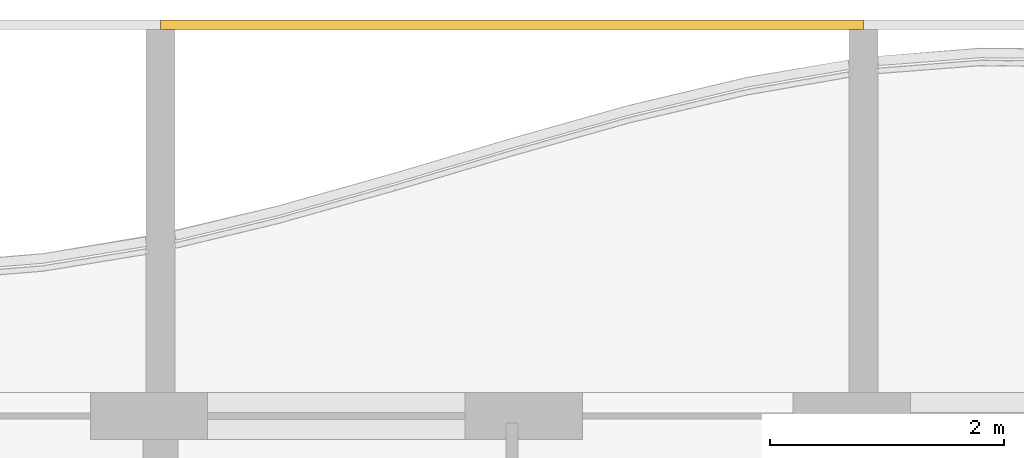
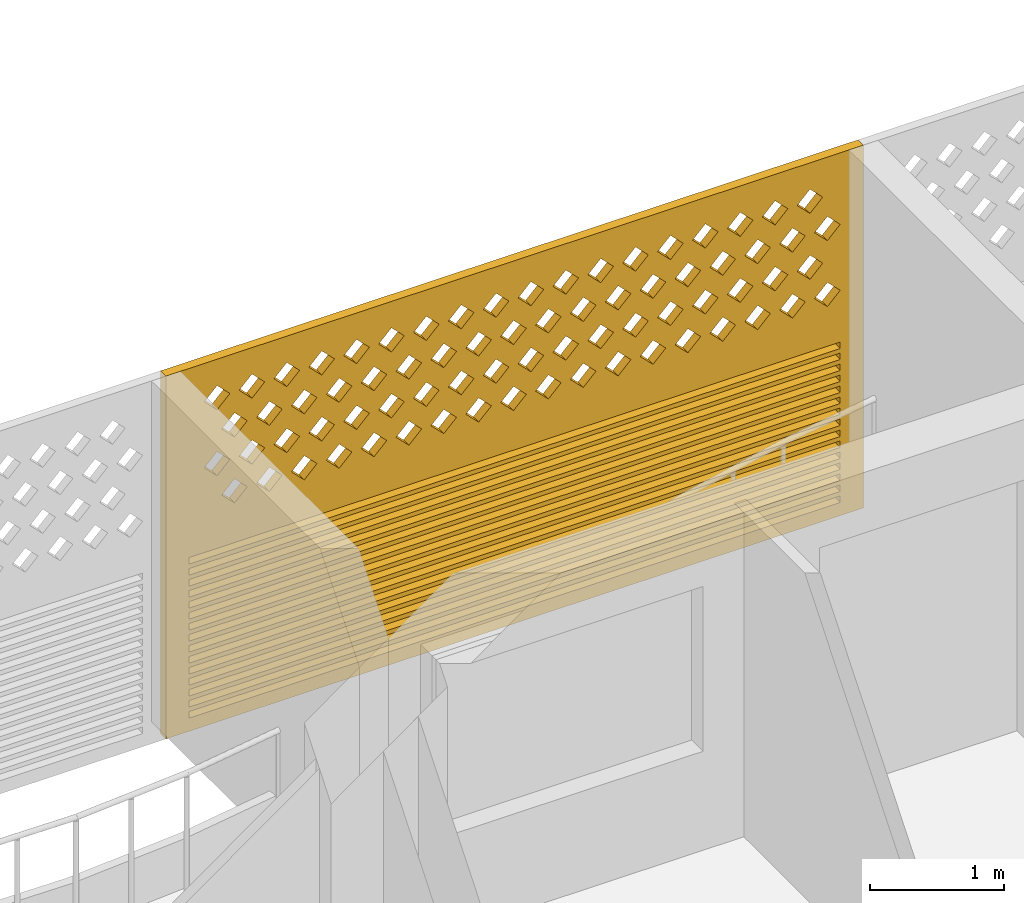
# One storey, part 18 of 26: 1 covering.
"""IFC4 building model written with IfcOpenShell, lengths in metres."""

from ifc_helpers import new_model, si_unit, direction, frame, origin, place, context, subcontext, project, spatial, polyline, outline, extrude, source, transform, mapped, material, material_profile, profile_set, type_object, element, save


model = new_model("IFC4")

# Units and contexts
model_context = context("Model", 3, precision=1e-05, world=origin(), true_north=direction((0.0, 1.0)))
body_context = subcontext(model_context, "Body", "Model", "MODEL_VIEW")
ifc_project = project(units=[si_unit("LENGTHUNIT", "METRE"), si_unit("AREAUNIT", "SQUARE_METRE"), si_unit("VOLUMEUNIT", "CUBIC_METRE"), si_unit("PLANEANGLEUNIT", "RADIAN"), si_unit("MASSUNIT", "GRAM", prefix="KILO")], contexts=[model_context])

# Site, building, storey
site_placement = place(None, origin())
site = spatial("IfcSite", under=ifc_project, at=site_placement, CompositionType="ELEMENT")
building_placement = place(site_placement, origin())
building = spatial("IfcBuilding", under=site, at=building_placement, Name="Poui Terraces", CompositionType="ELEMENT")
storey_placement = place(building_placement, frame((0.0, 0.0, 162.0)))
storey = spatial("IfcBuildingStorey", under=building, at=storey_placement, Name="L45", CompositionType="ELEMENT", Elevation=162.0)

# Covering
ifc_material = material(Name="Terracotta screen", Category="masonry")
ifc_material_profile = material_profile(ifc_material, outline(polyline([(-3.0, -1.64990234375), (3.0, -1.64990234375), (3.0, 1.64990234375), (-3.0, 1.64990234375), (-3.0, -1.64990234375)]), holes=[polyline([(-2.800048828125, 0.39990234375), (-2.68994140625, 0.2900390625), (-2.580078125, 0.39990234375), (-2.68994140625, 0.510009765625), (-2.800048828125, 0.39990234375)]), polyline([(-2.5, 0.39990234375), (-2.389892578125, 0.2900390625), (-2.280029296875, 0.39990234375), (-2.389892578125, 0.510009765625), (-2.5, 0.39990234375)]), polyline([(-2.199951171875, 0.39990234375), (-2.090087890625, 0.2900390625), (-1.97998046875, 0.39990234375), (-2.090087890625, 0.510009765625), (-2.199951171875, 0.39990234375)]), polyline([(-1.89990234375, 0.39990234375), (-1.7900390625, 0.2900390625), (-1.679931640625, 0.39990234375), (-1.7900390625, 0.510009765625), (-1.89990234375, 0.39990234375)]), polyline([(-1.60009765625, 0.39990234375), (-1.489990234375, 0.2900390625), (-1.3798828125, 0.39990234375), (-1.489990234375, 0.510009765625), (-1.60009765625, 0.39990234375)]), polyline([(-1.300048828125, 0.39990234375), (-1.18994140625, 0.2900390625), (-1.080078125, 0.39990234375), (-1.18994140625, 0.510009765625), (-1.300048828125, 0.39990234375)]), polyline([(-1.0, 0.39990234375), (-0.889892578125, 0.2900390625), (-0.780029296875, 0.39990234375), (-0.889892578125, 0.510009765625), (-1.0, 0.39990234375)]), polyline([(-0.699951171875, 0.39990234375), (-0.590087890625, 0.2900390625), (-0.47998046875, 0.39990234375), (-0.590087890625, 0.510009765625), (-0.699951171875, 0.39990234375)]), polyline([(-0.39990234375, 0.39990234375), (-0.2900390625, 0.2900390625), (-0.179931640625, 0.39990234375), (-0.2900390625, 0.510009765625), (-0.39990234375, 0.39990234375)]), polyline([(-0.10009765625, 0.39990234375), (0.010009765625, 0.2900390625), (0.1201171875, 0.39990234375), (0.010009765625, 0.510009765625), (-0.10009765625, 0.39990234375)]), polyline([(0.199951171875, 0.39990234375), (0.31005859375, 0.2900390625), (0.419921875, 0.39990234375), (0.31005859375, 0.510009765625), (0.199951171875, 0.39990234375)]), polyline([(0.5, 0.39990234375), (0.610107421875, 0.2900390625), (0.719970703125, 0.39990234375), (0.610107421875, 0.510009765625), (0.5, 0.39990234375)]), polyline([(0.800048828125, 0.39990234375), (0.909912109375, 0.2900390625), (1.02001953125, 0.39990234375), (0.909912109375, 0.510009765625), (0.800048828125, 0.39990234375)]), polyline([(1.10009765625, 0.39990234375), (1.2099609375, 0.2900390625), (1.320068359375, 0.39990234375), (1.2099609375, 0.510009765625), (1.10009765625, 0.39990234375)]), polyline([(1.39990234375, 0.39990234375), (1.510009765625, 0.2900390625), (1.6201171875, 0.39990234375), (1.510009765625, 0.510009765625), (1.39990234375, 0.39990234375)]), polyline([(1.699951171875, 0.39990234375), (1.81005859375, 0.2900390625), (1.919921875, 0.39990234375), (1.81005859375, 0.510009765625), (1.699951171875, 0.39990234375)]), polyline([(2.0, 0.39990234375), (2.110107421875, 0.2900390625), (2.219970703125, 0.39990234375), (2.110107421875, 0.510009765625), (2.0, 0.39990234375)]), polyline([(2.300048828125, 0.39990234375), (2.409912109375, 0.2900390625), (2.52001953125, 0.39990234375), (2.409912109375, 0.510009765625), (2.300048828125, 0.39990234375)]), polyline([(-2.64990234375, 0.699951171875), (-2.5400390625, 0.590087890625), (-2.429931640625, 0.699951171875), (-2.5400390625, 0.81005859375), (-2.64990234375, 0.699951171875)]), polyline([(-2.35009765625, 0.699951171875), (-2.239990234375, 0.590087890625), (-2.1298828125, 0.699951171875), (-2.239990234375, 0.81005859375), (-2.35009765625, 0.699951171875)]), polyline([(-2.050048828125, 0.699951171875), (-1.93994140625, 0.590087890625), (-1.830078125, 0.699951171875), (-1.93994140625, 0.81005859375), (-2.050048828125, 0.699951171875)]), polyline([(-1.75, 0.699951171875), (-1.639892578125, 0.590087890625), (-1.530029296875, 0.699951171875), (-1.639892578125, 0.81005859375), (-1.75, 0.699951171875)]), polyline([(-1.449951171875, 0.699951171875), (-1.340087890625, 0.590087890625), (-1.22998046875, 0.699951171875), (-1.340087890625, 0.81005859375), (-1.449951171875, 0.699951171875)]), polyline([(-1.14990234375, 0.699951171875), (-1.0400390625, 0.590087890625), (-0.929931640625, 0.699951171875), (-1.0400390625, 0.81005859375), (-1.14990234375, 0.699951171875)]), polyline([(-0.85009765625, 0.699951171875), (-0.739990234375, 0.590087890625), (-0.6298828125, 0.699951171875), (-0.739990234375, 0.81005859375), (-0.85009765625, 0.699951171875)]), polyline([(-0.550048828125, 0.699951171875), (-0.43994140625, 0.590087890625), (-0.330078125, 0.699951171875), (-0.43994140625, 0.81005859375), (-0.550048828125, 0.699951171875)]), polyline([(-0.25, 0.699951171875), (-0.139892578125, 0.590087890625), (-0.030029296875, 0.699951171875), (-0.139892578125, 0.81005859375), (-0.25, 0.699951171875)]), polyline([(0.050048828125, 0.699951171875), (0.159912109375, 0.590087890625), (0.27001953125, 0.699951171875), (0.159912109375, 0.81005859375), (0.050048828125, 0.699951171875)]), polyline([(0.35009765625, 0.699951171875), (0.4599609375, 0.590087890625), (0.570068359375, 0.699951171875), (0.4599609375, 0.81005859375), (0.35009765625, 0.699951171875)]), polyline([(0.64990234375, 0.699951171875), (0.760009765625, 0.590087890625), (0.8701171875, 0.699951171875), (0.760009765625, 0.81005859375), (0.64990234375, 0.699951171875)]), polyline([(0.949951171875, 0.699951171875), (1.06005859375, 0.590087890625), (1.169921875, 0.699951171875), (1.06005859375, 0.81005859375), (0.949951171875, 0.699951171875)]), polyline([(1.25, 0.699951171875), (1.360107421875, 0.590087890625), (1.469970703125, 0.699951171875), (1.360107421875, 0.81005859375), (1.25, 0.699951171875)]), polyline([(1.550048828125, 0.699951171875), (1.659912109375, 0.590087890625), (1.77001953125, 0.699951171875), (1.659912109375, 0.81005859375), (1.550048828125, 0.699951171875)]), polyline([(1.85009765625, 0.699951171875), (1.9599609375, 0.590087890625), (2.070068359375, 0.699951171875), (1.9599609375, 0.81005859375), (1.85009765625, 0.699951171875)]), polyline([(2.14990234375, 0.699951171875), (2.260009765625, 0.590087890625), (2.3701171875, 0.699951171875), (2.260009765625, 0.81005859375), (2.14990234375, 0.699951171875)]), polyline([(2.449951171875, 0.699951171875), (2.56005859375, 0.590087890625), (2.669921875, 0.699951171875), (2.56005859375, 0.81005859375), (2.449951171875, 0.699951171875)]), polyline([(-2.800048828125, 1.0), (-2.68994140625, 0.889892578125), (-2.580078125, 1.0), (-2.68994140625, 1.110107421875), (-2.800048828125, 1.0)]), polyline([(-2.5, 1.0), (-2.389892578125, 0.889892578125), (-2.280029296875, 1.0), (-2.389892578125, 1.110107421875), (-2.5, 1.0)]), polyline([(-2.199951171875, 1.0), (-2.090087890625, 0.889892578125), (-1.97998046875, 1.0), (-2.090087890625, 1.110107421875), (-2.199951171875, 1.0)]), polyline([(-1.89990234375, 1.0), (-1.7900390625, 0.889892578125), (-1.679931640625, 1.0), (-1.7900390625, 1.110107421875), (-1.89990234375, 1.0)]), polyline([(-1.60009765625, 1.0), (-1.489990234375, 0.889892578125), (-1.3798828125, 1.0), (-1.489990234375, 1.110107421875), (-1.60009765625, 1.0)]), polyline([(-1.300048828125, 1.0), (-1.18994140625, 0.889892578125), (-1.080078125, 1.0), (-1.18994140625, 1.110107421875), (-1.300048828125, 1.0)]), polyline([(-1.0, 1.0), (-0.889892578125, 0.889892578125), (-0.780029296875, 1.0), (-0.889892578125, 1.110107421875), (-1.0, 1.0)]), polyline([(-0.699951171875, 1.0), (-0.590087890625, 0.889892578125), (-0.47998046875, 1.0), (-0.590087890625, 1.110107421875), (-0.699951171875, 1.0)]), polyline([(-0.39990234375, 1.0), (-0.2900390625, 0.889892578125), (-0.179931640625, 1.0), (-0.2900390625, 1.110107421875), (-0.39990234375, 1.0)]), polyline([(-0.10009765625, 1.0), (0.010009765625, 0.889892578125), (0.1201171875, 1.0), (0.010009765625, 1.110107421875), (-0.10009765625, 1.0)]), polyline([(0.199951171875, 1.0), (0.31005859375, 0.889892578125), (0.419921875, 1.0), (0.31005859375, 1.110107421875), (0.199951171875, 1.0)]), polyline([(0.5, 1.0), (0.610107421875, 0.889892578125), (0.719970703125, 1.0), (0.610107421875, 1.110107421875), (0.5, 1.0)]), polyline([(0.800048828125, 1.0), (0.909912109375, 0.889892578125), (1.02001953125, 1.0), (0.909912109375, 1.110107421875), (0.800048828125, 1.0)]), polyline([(1.10009765625, 1.0), (1.2099609375, 0.889892578125), (1.320068359375, 1.0), (1.2099609375, 1.110107421875), (1.10009765625, 1.0)]), polyline([(1.39990234375, 1.0), (1.510009765625, 0.889892578125), (1.6201171875, 1.0), (1.510009765625, 1.110107421875), (1.39990234375, 1.0)]), polyline([(1.699951171875, 1.0), (1.81005859375, 0.889892578125), (1.919921875, 1.0), (1.81005859375, 1.110107421875), (1.699951171875, 1.0)]), polyline([(2.0, 1.0), (2.110107421875, 0.889892578125), (2.219970703125, 1.0), (2.110107421875, 1.110107421875), (2.0, 1.0)]), polyline([(2.300048828125, 1.0), (2.409912109375, 0.889892578125), (2.52001953125, 1.0), (2.409912109375, 1.110107421875), (2.300048828125, 1.0)]), polyline([(-2.64990234375, 1.300048828125), (-2.5400390625, 1.18994140625), (-2.429931640625, 1.300048828125), (-2.5400390625, 1.409912109375), (-2.64990234375, 1.300048828125)]), polyline([(-2.35009765625, 1.300048828125), (-2.239990234375, 1.18994140625), (-2.1298828125, 1.300048828125), (-2.239990234375, 1.409912109375), (-2.35009765625, 1.300048828125)]), polyline([(-2.050048828125, 1.300048828125), (-1.93994140625, 1.18994140625), (-1.830078125, 1.300048828125), (-1.93994140625, 1.409912109375), (-2.050048828125, 1.300048828125)]), polyline([(-1.75, 1.300048828125), (-1.639892578125, 1.18994140625), (-1.530029296875, 1.300048828125), (-1.639892578125, 1.409912109375), (-1.75, 1.300048828125)]), polyline([(-1.449951171875, 1.300048828125), (-1.340087890625, 1.18994140625), (-1.22998046875, 1.300048828125), (-1.340087890625, 1.409912109375), (-1.449951171875, 1.300048828125)]), polyline([(-1.14990234375, 1.300048828125), (-1.0400390625, 1.18994140625), (-0.929931640625, 1.300048828125), (-1.0400390625, 1.409912109375), (-1.14990234375, 1.300048828125)]), polyline([(-0.85009765625, 1.300048828125), (-0.739990234375, 1.18994140625), (-0.6298828125, 1.300048828125), (-0.739990234375, 1.409912109375), (-0.85009765625, 1.300048828125)]), polyline([(-0.550048828125, 1.300048828125), (-0.43994140625, 1.18994140625), (-0.330078125, 1.300048828125), (-0.43994140625, 1.409912109375), (-0.550048828125, 1.300048828125)]), polyline([(-0.25, 1.300048828125), (-0.139892578125, 1.18994140625), (-0.030029296875, 1.300048828125), (-0.139892578125, 1.409912109375), (-0.25, 1.300048828125)]), polyline([(0.050048828125, 1.300048828125), (0.159912109375, 1.18994140625), (0.27001953125, 1.300048828125), (0.159912109375, 1.409912109375), (0.050048828125, 1.300048828125)]), polyline([(0.35009765625, 1.300048828125), (0.4599609375, 1.18994140625), (0.570068359375, 1.300048828125), (0.4599609375, 1.409912109375), (0.35009765625, 1.300048828125)]), polyline([(0.64990234375, 1.300048828125), (0.760009765625, 1.18994140625), (0.8701171875, 1.300048828125), (0.760009765625, 1.409912109375), (0.64990234375, 1.300048828125)]), polyline([(0.949951171875, 1.300048828125), (1.06005859375, 1.18994140625), (1.169921875, 1.300048828125), (1.06005859375, 1.409912109375), (0.949951171875, 1.300048828125)]), polyline([(1.25, 1.300048828125), (1.360107421875, 1.18994140625), (1.469970703125, 1.300048828125), (1.360107421875, 1.409912109375), (1.25, 1.300048828125)]), polyline([(1.550048828125, 1.300048828125), (1.659912109375, 1.18994140625), (1.77001953125, 1.300048828125), (1.659912109375, 1.409912109375), (1.550048828125, 1.300048828125)]), polyline([(1.85009765625, 1.300048828125), (1.9599609375, 1.18994140625), (2.070068359375, 1.300048828125), (1.9599609375, 1.409912109375), (1.85009765625, 1.300048828125)]), polyline([(2.14990234375, 1.300048828125), (2.260009765625, 1.18994140625), (2.3701171875, 1.300048828125), (2.260009765625, 1.409912109375), (2.14990234375, 1.300048828125)]), polyline([(2.449951171875, 1.300048828125), (2.56005859375, 1.18994140625), (2.669921875, 1.300048828125), (2.56005859375, 1.409912109375), (2.449951171875, 1.300048828125)]), polyline([(-2.800048828125, -1.530029296875), (2.800048828125, -1.530029296875), (2.800048828125, -1.469970703125), (-2.800048828125, -1.469970703125), (-2.800048828125, -1.530029296875)]), polyline([(-2.800048828125, -1.429931640625), (2.800048828125, -1.429931640625), (2.800048828125, -1.3701171875), (-2.800048828125, -1.3701171875), (-2.800048828125, -1.429931640625)]), polyline([(-2.800048828125, -1.330078125), (2.800048828125, -1.330078125), (2.800048828125, -1.27001953125), (-2.800048828125, -1.27001953125), (-2.800048828125, -1.330078125)]), polyline([(-2.800048828125, -1.22998046875), (2.800048828125, -1.22998046875), (2.800048828125, -1.169921875), (-2.800048828125, -1.169921875), (-2.800048828125, -1.22998046875)]), polyline([(-2.800048828125, -1.1298828125), (2.800048828125, -1.1298828125), (2.800048828125, -1.070068359375), (-2.800048828125, -1.070068359375), (-2.800048828125, -1.1298828125)]), polyline([(-2.800048828125, -1.030029296875), (2.800048828125, -1.030029296875), (2.800048828125, -0.969970703125), (-2.800048828125, -0.969970703125), (-2.800048828125, -1.030029296875)]), polyline([(-2.800048828125, -0.929931640625), (2.800048828125, -0.929931640625), (2.800048828125, -0.8701171875), (-2.800048828125, -0.8701171875), (-2.800048828125, -0.929931640625)]), polyline([(-2.800048828125, -0.830078125), (2.800048828125, -0.830078125), (2.800048828125, -0.77001953125), (-2.800048828125, -0.77001953125), (-2.800048828125, -0.830078125)]), polyline([(-2.800048828125, -0.72998046875), (2.800048828125, -0.72998046875), (2.800048828125, -0.669921875), (-2.800048828125, -0.669921875), (-2.800048828125, -0.72998046875)]), polyline([(-2.800048828125, -0.6298828125), (2.800048828125, -0.6298828125), (2.800048828125, -0.570068359375), (-2.800048828125, -0.570068359375), (-2.800048828125, -0.6298828125)]), polyline([(-2.800048828125, -0.530029296875), (2.800048828125, -0.530029296875), (2.800048828125, -0.469970703125), (-2.800048828125, -0.469970703125), (-2.800048828125, -0.530029296875)]), polyline([(-2.800048828125, -0.429931640625), (2.800048828125, -0.429931640625), (2.800048828125, -0.3701171875), (-2.800048828125, -0.3701171875), (-2.800048828125, -0.429931640625)]), polyline([(-2.800048828125, -0.330078125), (2.800048828125, -0.330078125), (2.800048828125, -0.27001953125), (-2.800048828125, -0.27001953125), (-2.800048828125, -0.330078125)]), polyline([(-2.800048828125, -0.22998046875), (2.800048828125, -0.22998046875), (2.800048828125, -0.169921875), (-2.800048828125, -0.169921875), (-2.800048828125, -0.22998046875)]), polyline([(-2.800048828125, -0.1298828125), (2.800048828125, -0.1298828125), (2.800048828125, -0.070068359375), (-2.800048828125, -0.070068359375), (-2.800048828125, -0.1298828125)])]), Name="TERRACOTTA SCREEN AND JALOUSIE LOUVRE 6000X3300")
ifc_profile_set = profile_set([ifc_material_profile], Name="Terracotta screen")
covering_type = type_object("IfcCoveringType", Name="TERRACOTTA SCREEN AND JALOUSIE LOUVRE 6000X3300", PredefinedType="CLADDING", material=ifc_profile_set)
shared_shape = source(origin(), body_context, "Body", "SweptSolid", [
    extrude(outline(polyline([(-3.0, -1.64990234375), (3.0, -1.64990234375), (3.0, 1.64990234375), (-3.0, 1.64990234375), (-3.0, -1.64990234375)]), holes=[polyline([(-2.800048828125, 0.39990234375), (-2.68994140625, 0.2900390625), (-2.580078125, 0.39990234375), (-2.68994140625, 0.510009765625), (-2.800048828125, 0.39990234375)]), polyline([(-2.5, 0.39990234375), (-2.389892578125, 0.2900390625), (-2.280029296875, 0.39990234375), (-2.389892578125, 0.510009765625), (-2.5, 0.39990234375)]), polyline([(-2.199951171875, 0.39990234375), (-2.090087890625, 0.2900390625), (-1.97998046875, 0.39990234375), (-2.090087890625, 0.510009765625), (-2.199951171875, 0.39990234375)]), polyline([(-1.89990234375, 0.39990234375), (-1.7900390625, 0.2900390625), (-1.679931640625, 0.39990234375), (-1.7900390625, 0.510009765625), (-1.89990234375, 0.39990234375)]), polyline([(-1.60009765625, 0.39990234375), (-1.489990234375, 0.2900390625), (-1.3798828125, 0.39990234375), (-1.489990234375, 0.510009765625), (-1.60009765625, 0.39990234375)]), polyline([(-1.300048828125, 0.39990234375), (-1.18994140625, 0.2900390625), (-1.080078125, 0.39990234375), (-1.18994140625, 0.510009765625), (-1.300048828125, 0.39990234375)]), polyline([(-1.0, 0.39990234375), (-0.889892578125, 0.2900390625), (-0.780029296875, 0.39990234375), (-0.889892578125, 0.510009765625), (-1.0, 0.39990234375)]), polyline([(-0.699951171875, 0.39990234375), (-0.590087890625, 0.2900390625), (-0.47998046875, 0.39990234375), (-0.590087890625, 0.510009765625), (-0.699951171875, 0.39990234375)]), polyline([(-0.39990234375, 0.39990234375), (-0.2900390625, 0.2900390625), (-0.179931640625, 0.39990234375), (-0.2900390625, 0.510009765625), (-0.39990234375, 0.39990234375)]), polyline([(-0.10009765625, 0.39990234375), (0.010009765625, 0.2900390625), (0.1201171875, 0.39990234375), (0.010009765625, 0.510009765625), (-0.10009765625, 0.39990234375)]), polyline([(0.199951171875, 0.39990234375), (0.31005859375, 0.2900390625), (0.419921875, 0.39990234375), (0.31005859375, 0.510009765625), (0.199951171875, 0.39990234375)]), polyline([(0.5, 0.39990234375), (0.610107421875, 0.2900390625), (0.719970703125, 0.39990234375), (0.610107421875, 0.510009765625), (0.5, 0.39990234375)]), polyline([(0.800048828125, 0.39990234375), (0.909912109375, 0.2900390625), (1.02001953125, 0.39990234375), (0.909912109375, 0.510009765625), (0.800048828125, 0.39990234375)]), polyline([(1.10009765625, 0.39990234375), (1.2099609375, 0.2900390625), (1.320068359375, 0.39990234375), (1.2099609375, 0.510009765625), (1.10009765625, 0.39990234375)]), polyline([(1.39990234375, 0.39990234375), (1.510009765625, 0.2900390625), (1.6201171875, 0.39990234375), (1.510009765625, 0.510009765625), (1.39990234375, 0.39990234375)]), polyline([(1.699951171875, 0.39990234375), (1.81005859375, 0.2900390625), (1.919921875, 0.39990234375), (1.81005859375, 0.510009765625), (1.699951171875, 0.39990234375)]), polyline([(2.0, 0.39990234375), (2.110107421875, 0.2900390625), (2.219970703125, 0.39990234375), (2.110107421875, 0.510009765625), (2.0, 0.39990234375)]), polyline([(2.300048828125, 0.39990234375), (2.409912109375, 0.2900390625), (2.52001953125, 0.39990234375), (2.409912109375, 0.510009765625), (2.300048828125, 0.39990234375)]), polyline([(-2.64990234375, 0.699951171875), (-2.5400390625, 0.590087890625), (-2.429931640625, 0.699951171875), (-2.5400390625, 0.81005859375), (-2.64990234375, 0.699951171875)]), polyline([(-2.35009765625, 0.699951171875), (-2.239990234375, 0.590087890625), (-2.1298828125, 0.699951171875), (-2.239990234375, 0.81005859375), (-2.35009765625, 0.699951171875)]), polyline([(-2.050048828125, 0.699951171875), (-1.93994140625, 0.590087890625), (-1.830078125, 0.699951171875), (-1.93994140625, 0.81005859375), (-2.050048828125, 0.699951171875)]), polyline([(-1.75, 0.699951171875), (-1.639892578125, 0.590087890625), (-1.530029296875, 0.699951171875), (-1.639892578125, 0.81005859375), (-1.75, 0.699951171875)]), polyline([(-1.449951171875, 0.699951171875), (-1.340087890625, 0.590087890625), (-1.22998046875, 0.699951171875), (-1.340087890625, 0.81005859375), (-1.449951171875, 0.699951171875)]), polyline([(-1.14990234375, 0.699951171875), (-1.0400390625, 0.590087890625), (-0.929931640625, 0.699951171875), (-1.0400390625, 0.81005859375), (-1.14990234375, 0.699951171875)]), polyline([(-0.85009765625, 0.699951171875), (-0.739990234375, 0.590087890625), (-0.6298828125, 0.699951171875), (-0.739990234375, 0.81005859375), (-0.85009765625, 0.699951171875)]), polyline([(-0.550048828125, 0.699951171875), (-0.43994140625, 0.590087890625), (-0.330078125, 0.699951171875), (-0.43994140625, 0.81005859375), (-0.550048828125, 0.699951171875)]), polyline([(-0.25, 0.699951171875), (-0.139892578125, 0.590087890625), (-0.030029296875, 0.699951171875), (-0.139892578125, 0.81005859375), (-0.25, 0.699951171875)]), polyline([(0.050048828125, 0.699951171875), (0.159912109375, 0.590087890625), (0.27001953125, 0.699951171875), (0.159912109375, 0.81005859375), (0.050048828125, 0.699951171875)]), polyline([(0.35009765625, 0.699951171875), (0.4599609375, 0.590087890625), (0.570068359375, 0.699951171875), (0.4599609375, 0.81005859375), (0.35009765625, 0.699951171875)]), polyline([(0.64990234375, 0.699951171875), (0.760009765625, 0.590087890625), (0.8701171875, 0.699951171875), (0.760009765625, 0.81005859375), (0.64990234375, 0.699951171875)]), polyline([(0.949951171875, 0.699951171875), (1.06005859375, 0.590087890625), (1.169921875, 0.699951171875), (1.06005859375, 0.81005859375), (0.949951171875, 0.699951171875)]), polyline([(1.25, 0.699951171875), (1.360107421875, 0.590087890625), (1.469970703125, 0.699951171875), (1.360107421875, 0.81005859375), (1.25, 0.699951171875)]), polyline([(1.550048828125, 0.699951171875), (1.659912109375, 0.590087890625), (1.77001953125, 0.699951171875), (1.659912109375, 0.81005859375), (1.550048828125, 0.699951171875)]), polyline([(1.85009765625, 0.699951171875), (1.9599609375, 0.590087890625), (2.070068359375, 0.699951171875), (1.9599609375, 0.81005859375), (1.85009765625, 0.699951171875)]), polyline([(2.14990234375, 0.699951171875), (2.260009765625, 0.590087890625), (2.3701171875, 0.699951171875), (2.260009765625, 0.81005859375), (2.14990234375, 0.699951171875)]), polyline([(2.449951171875, 0.699951171875), (2.56005859375, 0.590087890625), (2.669921875, 0.699951171875), (2.56005859375, 0.81005859375), (2.449951171875, 0.699951171875)]), polyline([(-2.800048828125, 1.0), (-2.68994140625, 0.889892578125), (-2.580078125, 1.0), (-2.68994140625, 1.110107421875), (-2.800048828125, 1.0)]), polyline([(-2.5, 1.0), (-2.389892578125, 0.889892578125), (-2.280029296875, 1.0), (-2.389892578125, 1.110107421875), (-2.5, 1.0)]), polyline([(-2.199951171875, 1.0), (-2.090087890625, 0.889892578125), (-1.97998046875, 1.0), (-2.090087890625, 1.110107421875), (-2.199951171875, 1.0)]), polyline([(-1.89990234375, 1.0), (-1.7900390625, 0.889892578125), (-1.679931640625, 1.0), (-1.7900390625, 1.110107421875), (-1.89990234375, 1.0)]), polyline([(-1.60009765625, 1.0), (-1.489990234375, 0.889892578125), (-1.3798828125, 1.0), (-1.489990234375, 1.110107421875), (-1.60009765625, 1.0)]), polyline([(-1.300048828125, 1.0), (-1.18994140625, 0.889892578125), (-1.080078125, 1.0), (-1.18994140625, 1.110107421875), (-1.300048828125, 1.0)]), polyline([(-1.0, 1.0), (-0.889892578125, 0.889892578125), (-0.780029296875, 1.0), (-0.889892578125, 1.110107421875), (-1.0, 1.0)]), polyline([(-0.699951171875, 1.0), (-0.590087890625, 0.889892578125), (-0.47998046875, 1.0), (-0.590087890625, 1.110107421875), (-0.699951171875, 1.0)]), polyline([(-0.39990234375, 1.0), (-0.2900390625, 0.889892578125), (-0.179931640625, 1.0), (-0.2900390625, 1.110107421875), (-0.39990234375, 1.0)]), polyline([(-0.10009765625, 1.0), (0.010009765625, 0.889892578125), (0.1201171875, 1.0), (0.010009765625, 1.110107421875), (-0.10009765625, 1.0)]), polyline([(0.199951171875, 1.0), (0.31005859375, 0.889892578125), (0.419921875, 1.0), (0.31005859375, 1.110107421875), (0.199951171875, 1.0)]), polyline([(0.5, 1.0), (0.610107421875, 0.889892578125), (0.719970703125, 1.0), (0.610107421875, 1.110107421875), (0.5, 1.0)]), polyline([(0.800048828125, 1.0), (0.909912109375, 0.889892578125), (1.02001953125, 1.0), (0.909912109375, 1.110107421875), (0.800048828125, 1.0)]), polyline([(1.10009765625, 1.0), (1.2099609375, 0.889892578125), (1.320068359375, 1.0), (1.2099609375, 1.110107421875), (1.10009765625, 1.0)]), polyline([(1.39990234375, 1.0), (1.510009765625, 0.889892578125), (1.6201171875, 1.0), (1.510009765625, 1.110107421875), (1.39990234375, 1.0)]), polyline([(1.699951171875, 1.0), (1.81005859375, 0.889892578125), (1.919921875, 1.0), (1.81005859375, 1.110107421875), (1.699951171875, 1.0)]), polyline([(2.0, 1.0), (2.110107421875, 0.889892578125), (2.219970703125, 1.0), (2.110107421875, 1.110107421875), (2.0, 1.0)]), polyline([(2.300048828125, 1.0), (2.409912109375, 0.889892578125), (2.52001953125, 1.0), (2.409912109375, 1.110107421875), (2.300048828125, 1.0)]), polyline([(-2.64990234375, 1.300048828125), (-2.5400390625, 1.18994140625), (-2.429931640625, 1.300048828125), (-2.5400390625, 1.409912109375), (-2.64990234375, 1.300048828125)]), polyline([(-2.35009765625, 1.300048828125), (-2.239990234375, 1.18994140625), (-2.1298828125, 1.300048828125), (-2.239990234375, 1.409912109375), (-2.35009765625, 1.300048828125)]), polyline([(-2.050048828125, 1.300048828125), (-1.93994140625, 1.18994140625), (-1.830078125, 1.300048828125), (-1.93994140625, 1.409912109375), (-2.050048828125, 1.300048828125)]), polyline([(-1.75, 1.300048828125), (-1.639892578125, 1.18994140625), (-1.530029296875, 1.300048828125), (-1.639892578125, 1.409912109375), (-1.75, 1.300048828125)]), polyline([(-1.449951171875, 1.300048828125), (-1.340087890625, 1.18994140625), (-1.22998046875, 1.300048828125), (-1.340087890625, 1.409912109375), (-1.449951171875, 1.300048828125)]), polyline([(-1.14990234375, 1.300048828125), (-1.0400390625, 1.18994140625), (-0.929931640625, 1.300048828125), (-1.0400390625, 1.409912109375), (-1.14990234375, 1.300048828125)]), polyline([(-0.85009765625, 1.300048828125), (-0.739990234375, 1.18994140625), (-0.6298828125, 1.300048828125), (-0.739990234375, 1.409912109375), (-0.85009765625, 1.300048828125)]), polyline([(-0.550048828125, 1.300048828125), (-0.43994140625, 1.18994140625), (-0.330078125, 1.300048828125), (-0.43994140625, 1.409912109375), (-0.550048828125, 1.300048828125)]), polyline([(-0.25, 1.300048828125), (-0.139892578125, 1.18994140625), (-0.030029296875, 1.300048828125), (-0.139892578125, 1.409912109375), (-0.25, 1.300048828125)]), polyline([(0.050048828125, 1.300048828125), (0.159912109375, 1.18994140625), (0.27001953125, 1.300048828125), (0.159912109375, 1.409912109375), (0.050048828125, 1.300048828125)]), polyline([(0.35009765625, 1.300048828125), (0.4599609375, 1.18994140625), (0.570068359375, 1.300048828125), (0.4599609375, 1.409912109375), (0.35009765625, 1.300048828125)]), polyline([(0.64990234375, 1.300048828125), (0.760009765625, 1.18994140625), (0.8701171875, 1.300048828125), (0.760009765625, 1.409912109375), (0.64990234375, 1.300048828125)]), polyline([(0.949951171875, 1.300048828125), (1.06005859375, 1.18994140625), (1.169921875, 1.300048828125), (1.06005859375, 1.409912109375), (0.949951171875, 1.300048828125)]), polyline([(1.25, 1.300048828125), (1.360107421875, 1.18994140625), (1.469970703125, 1.300048828125), (1.360107421875, 1.409912109375), (1.25, 1.300048828125)]), polyline([(1.550048828125, 1.300048828125), (1.659912109375, 1.18994140625), (1.77001953125, 1.300048828125), (1.659912109375, 1.409912109375), (1.550048828125, 1.300048828125)]), polyline([(1.85009765625, 1.300048828125), (1.9599609375, 1.18994140625), (2.070068359375, 1.300048828125), (1.9599609375, 1.409912109375), (1.85009765625, 1.300048828125)]), polyline([(2.14990234375, 1.300048828125), (2.260009765625, 1.18994140625), (2.3701171875, 1.300048828125), (2.260009765625, 1.409912109375), (2.14990234375, 1.300048828125)]), polyline([(2.449951171875, 1.300048828125), (2.56005859375, 1.18994140625), (2.669921875, 1.300048828125), (2.56005859375, 1.409912109375), (2.449951171875, 1.300048828125)]), polyline([(-2.800048828125, -1.530029296875), (2.800048828125, -1.530029296875), (2.800048828125, -1.469970703125), (-2.800048828125, -1.469970703125), (-2.800048828125, -1.530029296875)]), polyline([(-2.800048828125, -1.429931640625), (2.800048828125, -1.429931640625), (2.800048828125, -1.3701171875), (-2.800048828125, -1.3701171875), (-2.800048828125, -1.429931640625)]), polyline([(-2.800048828125, -1.330078125), (2.800048828125, -1.330078125), (2.800048828125, -1.27001953125), (-2.800048828125, -1.27001953125), (-2.800048828125, -1.330078125)]), polyline([(-2.800048828125, -1.22998046875), (2.800048828125, -1.22998046875), (2.800048828125, -1.169921875), (-2.800048828125, -1.169921875), (-2.800048828125, -1.22998046875)]), polyline([(-2.800048828125, -1.1298828125), (2.800048828125, -1.1298828125), (2.800048828125, -1.070068359375), (-2.800048828125, -1.070068359375), (-2.800048828125, -1.1298828125)]), polyline([(-2.800048828125, -1.030029296875), (2.800048828125, -1.030029296875), (2.800048828125, -0.969970703125), (-2.800048828125, -0.969970703125), (-2.800048828125, -1.030029296875)]), polyline([(-2.800048828125, -0.929931640625), (2.800048828125, -0.929931640625), (2.800048828125, -0.8701171875), (-2.800048828125, -0.8701171875), (-2.800048828125, -0.929931640625)]), polyline([(-2.800048828125, -0.830078125), (2.800048828125, -0.830078125), (2.800048828125, -0.77001953125), (-2.800048828125, -0.77001953125), (-2.800048828125, -0.830078125)]), polyline([(-2.800048828125, -0.72998046875), (2.800048828125, -0.72998046875), (2.800048828125, -0.669921875), (-2.800048828125, -0.669921875), (-2.800048828125, -0.72998046875)]), polyline([(-2.800048828125, -0.6298828125), (2.800048828125, -0.6298828125), (2.800048828125, -0.570068359375), (-2.800048828125, -0.570068359375), (-2.800048828125, -0.6298828125)]), polyline([(-2.800048828125, -0.530029296875), (2.800048828125, -0.530029296875), (2.800048828125, -0.469970703125), (-2.800048828125, -0.469970703125), (-2.800048828125, -0.530029296875)]), polyline([(-2.800048828125, -0.429931640625), (2.800048828125, -0.429931640625), (2.800048828125, -0.3701171875), (-2.800048828125, -0.3701171875), (-2.800048828125, -0.429931640625)]), polyline([(-2.800048828125, -0.330078125), (2.800048828125, -0.330078125), (2.800048828125, -0.27001953125), (-2.800048828125, -0.27001953125), (-2.800048828125, -0.330078125)]), polyline([(-2.800048828125, -0.22998046875), (2.800048828125, -0.22998046875), (2.800048828125, -0.169921875), (-2.800048828125, -0.169921875), (-2.800048828125, -0.22998046875)]), polyline([(-2.800048828125, -0.1298828125), (2.800048828125, -0.1298828125), (2.800048828125, -0.070068359375), (-2.800048828125, -0.070068359375), (-2.800048828125, -0.1298828125)])]), origin(), (0.0, 0.0, 1.0), 0.080078125),
])
covering_placement = place(storey_placement, frame((33.0, 45.699951171875, 1.449951171875), z_axis=(0.0, 1.0, 0.0), x_axis=(-1.0, 0.0, 0.0)))
element("IfcCovering", 1, at=covering_placement, inside=storey, type_object=covering_type, Name="SOLAR SCREEN AND JALOUSIE LOUVRE", PredefinedType="CLADDING", context=body_context, shape_type="MappedRepresentation", body=[
    mapped(shared_shape, transform((0.0, 0.0, 0.0))),
])

save(model, "model.ifc")
